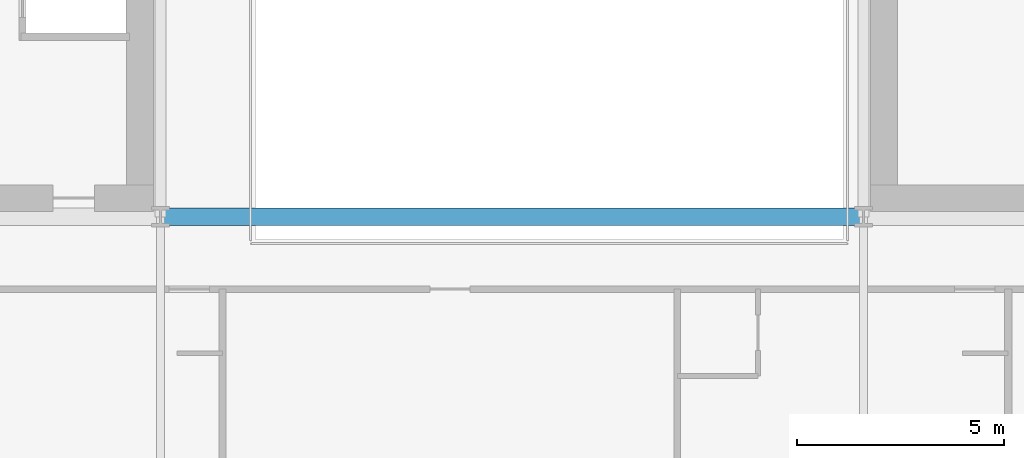
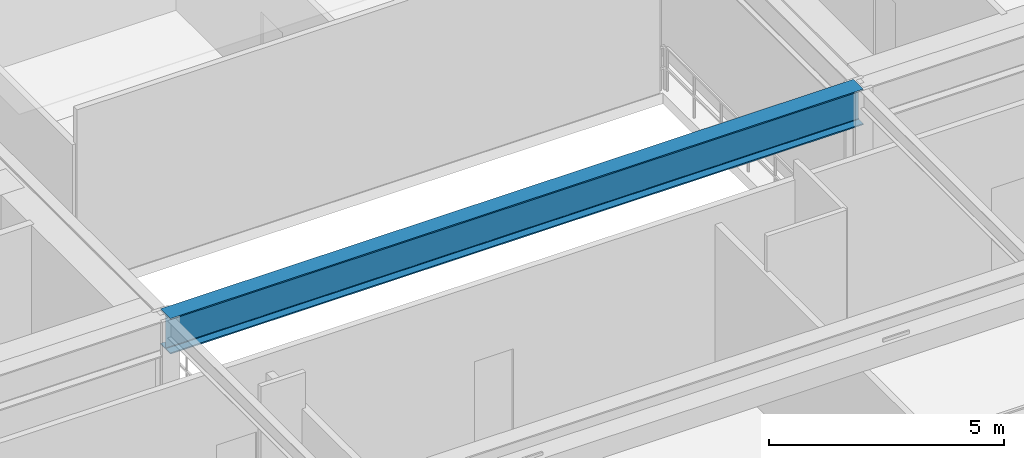
# One storey, part 5 of 35: 1 beam.
"""IFC4 building model written with IfcOpenShell, lengths in metres."""

from ifc_helpers import new_model, si_unit, direction, frame, origin, origin_2d, place, context, subcontext, project, spatial, i_section, extrude, source, transform, mapped, material, material_profile, profile_set, type_object, element, save


model = new_model("IFC4")

# Units and contexts
model_context = context("Model", 3, precision=1e-05, world=origin(), true_north=direction((0.0, 1.0)))
body_context = subcontext(model_context, "Body", "Model", "MODEL_VIEW")
ifc_project = project(units=[si_unit("LENGTHUNIT", "METRE"), si_unit("AREAUNIT", "SQUARE_METRE"), si_unit("VOLUMEUNIT", "CUBIC_METRE"), si_unit("PLANEANGLEUNIT", "RADIAN"), si_unit("MASSUNIT", "GRAM", prefix="KILO")], contexts=[model_context])

# Site, building, storey
site_placement = place(None, origin())
site = spatial("IfcSite", under=ifc_project, at=site_placement, CompositionType="ELEMENT")
building_placement = place(site_placement, origin())
building = spatial("IfcBuilding", under=site, at=building_placement, Name="Ocotamira Hotel", CompositionType="ELEMENT")
storey_placement = place(building_placement, frame((0.0, 0.0, 158.39990234375)))
storey = spatial("IfcBuildingStorey", under=building, at=storey_placement, Name="L39", CompositionType="ELEMENT", Elevation=158.39990234375)

# Beam
ifc_material = material(Name="Steel ASTM A992 Grade 50", Category="steel")
ifc_material_profile = material_profile(ifc_material, i_section(OverallWidth=0.41796875, OverallDepth=0.927001953125, WebThickness=0.019287109375, FlangeThickness=0.031982421875, FilletRadius=0.02392578125, at=origin_2d()), Name="W36X231")
ifc_profile_set = profile_set([ifc_material_profile], Name="Steel ASTM A992 Grade 50")
beam_type = type_object("IfcBeamType", Name="BM-GIRD-W36X231", PredefinedType="BEAM", material=ifc_profile_set)
shared_shape = source(origin(), body_context, "Body", "SweptSolid", [
    extrude(i_section(OverallWidth=0.41796875, OverallDepth=0.927001953125, WebThickness=0.019287109375, FlangeThickness=0.031982421875, FilletRadius=0.02392578125, at=origin_2d()), origin(), (0.0, 0.0, 1.0), 17.0),
])
beam_placement = place(storey_placement, frame((23.5, 14.550048828125, 4.106689453125), z_axis=(1.0, 0.0, 0.0), x_axis=(0.0, 1.0, 0.0)))
element("IfcBeam", 1, at=beam_placement, inside=storey, type_object=beam_type, Name="L39 Girder Y14.55 X23.5-40.5", PredefinedType="BEAM", context=body_context, shape_type="MappedRepresentation", body=[
    mapped(shared_shape, transform((0.0, 0.0, 0.0), scale=1.0)),
])

save(model, "model.ifc")
